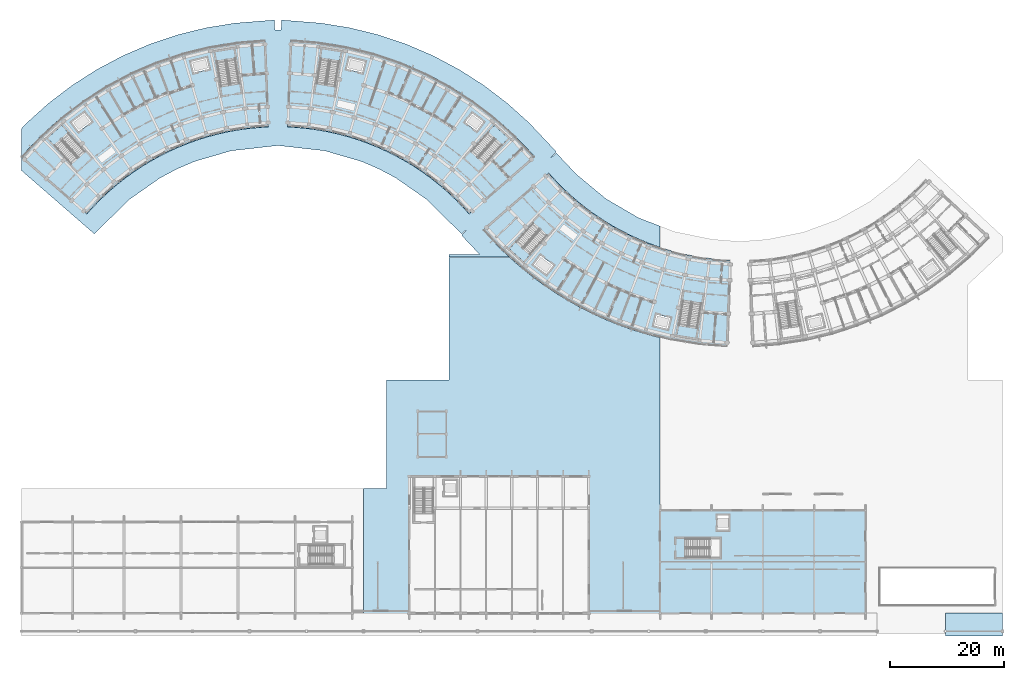
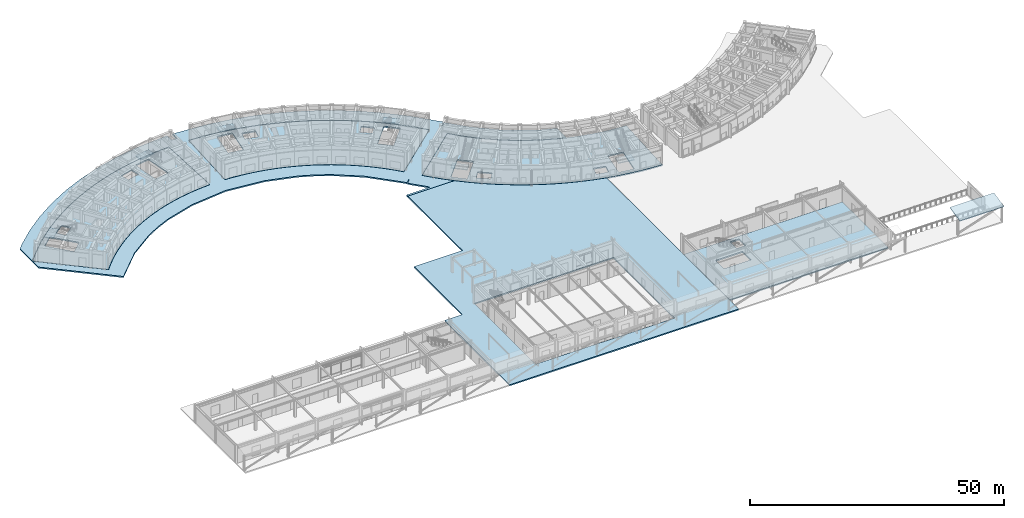
# One storey, part 21 of 61: 13 slabs, 6 elements without a shape of their own.
"""IFC4 building model written with IfcOpenShell, lengths in metres."""

from ifc_helpers import new_model, si_unit, direction, frame, origin, place, context, subcontext, project, spatial, polyline, outline, extrude, material, layer, layer_set, type_object, element, aggregate, save


model = new_model("IFC4")

# Units and contexts
model_context = context("Model", 3, precision=1e-05, world=origin(), true_north=direction((0.0, 1.0)))
body_context = subcontext(model_context, "Body", "Model", "MODEL_VIEW")
ifc_project = project(units=[si_unit("LENGTHUNIT", "METRE"), si_unit("AREAUNIT", "SQUARE_METRE"), si_unit("VOLUMEUNIT", "CUBIC_METRE"), si_unit("PLANEANGLEUNIT", "RADIAN"), si_unit("MASSUNIT", "GRAM", prefix="KILO")], contexts=[model_context])

# Site, building, storey
site_placement = place(None, origin())
site = spatial("IfcSite", under=ifc_project, at=site_placement, CompositionType="ELEMENT")
building_placement = place(site_placement, origin())
building = spatial("IfcBuilding", under=site, at=building_placement, Name="Zimvara Arc Housing Community", CompositionType="ELEMENT")
storey_placement = place(building_placement, origin())
storey = spatial("IfcBuildingStorey", under=building, at=storey_placement, Name="L00", CompositionType="ELEMENT", Elevation=0.0)

# Slabs
ifc_material_1 = material(Name="Concrete C40/50", Category="concrete")
ifc_layer_1 = layer(ifc_material_1, 0.1650390625)
ifc_layer_set_1 = layer_set([ifc_layer_1], Name="Concrete C40/50")
slab_type_1 = type_object("IfcSlabType", Name="SLB-COL-ROOF-165", PredefinedType="ROOF", material=ifc_layer_set_1)
slab_1_placement = place(storey_placement, frame((162.0, -0.35009765625, 3.820068359375), z_axis=(0.0, -0.217415880045, 0.976079061913), x_axis=(1.0, 0.0, 0.0)))
element("IfcSlab", 1, at=slab_1_placement, inside=storey, type_object=slab_type_1, Name="roof:colonnade:s2", PredefinedType="ROOF", context=body_context, shape_type="SweptSolid", body=[
    extrude(outline(polyline([(0.0, 0.0), (10.0, 0.0), (10.0, 4.047003431012863), (0.0, 4.047003431012863), (0.0, 0.0)])), origin(), (0.0, 0.0, -1.0), 0.1650390625),
])
ifc_material_2 = material(Name="Concrete C40/50", Category="concrete")
ifc_layer_2 = layer(ifc_material_2, 0.300048828125)
ifc_layer_set_2 = layer_set([ifc_layer_2], Name="Concrete C40/50")
slab_type_2 = type_object("IfcSlabType", Name="SLB-POD-300", PredefinedType="FLOOR", material=ifc_layer_set_2)
slab_2_placement = place(storey_placement, frame((0.0, 0.0, -0.300048828125)))
element("IfcSlab", 2, at=slab_2_placement, inside=storey, type_object=slab_type_2, Name="slab:blkA:L00:main", PredefinedType="FLOOR", context=body_context, shape_type="SweptSolid", body=[
    extrude(outline(polyline([(11.490966796875, 73.62890625), (12.708251953125, 74.972900390625), (13.979248046875, 76.265869140625), (15.302001953125, 77.506103515625), (16.674560546875, 78.69091796875), (18.093994140625, 79.819091796875), (19.55859375, 80.88818359375), (21.0654296875, 81.896484375), (22.6123046875, 82.842529296875), (24.196533203125, 83.724609375), (25.8154296875, 84.541259765625), (27.46630859375, 85.291259765625), (29.146240234375, 85.97314453125), (30.852783203125, 86.5859375), (32.5830078125, 87.12841796875), (34.333984375, 87.599853515625), (36.1025390625, 87.999267578125), (37.885986328125, 88.326416015625), (39.681396484375, 88.580322265625), (41.485595703125, 88.7607421875), (43.295654296875, 88.8671875), (42.712158203125, 104.05615234375), (40.282470703125, 103.9130859375), (37.860595703125, 103.6708984375), (35.450439453125, 103.330078125), (33.056640625, 102.89111328125), (30.682373046875, 102.354736328125), (28.332275390625, 101.721923828125), (26.009765625, 100.99365234375), (23.718994140625, 100.171142578125), (21.463623046875, 99.255859375), (19.247802734375, 98.249267578125), (17.07470703125, 97.15283203125), (14.947998046875, 95.96875), (12.871826171875, 94.698974609375), (10.848876953125, 93.34521484375), (8.883056640625, 91.91015625), (6.9775390625, 90.39599609375), (5.13525390625, 88.805419921875), (3.359619140625, 87.140869140625), (1.6533203125, 85.405029296875), (0.019287109375, 83.60107421875), (11.490966796875, 73.62890625)]), holes=[polyline([(8.73193359375, 82.356201171875), (4.65185546875, 86.890625), (7.090087890625, 89.08447265625), (11.17041015625, 84.550048828125), (8.73193359375, 82.356201171875)]), polyline([(34.9853515625, 95.960205078125), (34.008056640625, 101.9814453125), (37.24560546875, 102.507080078125), (38.222900390625, 96.48583984375), (34.9853515625, 95.960205078125)]), polyline([(10.05615234375, 88.02685546875), (8.820068359375, 89.649658203125), (11.0791015625, 91.37060546875), (12.3154296875, 89.747802734375), (10.05615234375, 88.02685546875)]), polyline([(30.216796875, 98.324951171875), (29.726806640625, 100.30517578125), (32.483642578125, 100.9873046875), (32.9736328125, 99.007080078125), (30.216796875, 98.324951171875)])]), origin(), (0.0, 0.0, 1.0), 0.300048828125),
])
slab_3_placement = place(storey_placement, frame((0.0, 0.0, -0.300048828125)))
element("IfcSlab", 3, at=slab_3_placement, inside=storey, type_object=slab_type_2, Name="slab:blkB:L00:main", PredefinedType="FLOOR", context=body_context, shape_type="SweptSolid", body=[
    extrude(outline(polyline([(46.704345703125, 88.8671875), (48.514404296875, 88.7607421875), (50.318603515625, 88.580322265625), (52.114013671875, 88.326416015625), (53.8974609375, 87.999267578125), (55.666015625, 87.599853515625), (57.4169921875, 87.12841796875), (59.147216796875, 86.5859375), (60.853759765625, 85.97314453125), (62.53369140625, 85.291259765625), (64.1845703125, 84.541259765625), (65.803466796875, 83.724609375), (67.3876953125, 82.842529296875), (68.9345703125, 81.896484375), (70.44140625, 80.88818359375), (71.90576171875, 79.819091796875), (73.325439453125, 78.69091796875), (74.697998046875, 77.506103515625), (76.020751953125, 76.265869140625), (77.291748046875, 74.972900390625), (78.509033203125, 73.62890625), (89.980712890625, 83.60107421875), (88.3466796875, 85.405029296875), (86.640380859375, 87.140869140625), (84.86474609375, 88.805419921875), (83.0224609375, 90.39599609375), (81.116943359375, 91.91015625), (79.151123046875, 93.34521484375), (77.128173828125, 94.698974609375), (75.052001953125, 95.96875), (72.92529296875, 97.15283203125), (70.752197265625, 98.249267578125), (68.536376953125, 99.255859375), (66.281005859375, 100.171142578125), (63.990234375, 100.99365234375), (61.667724609375, 101.721923828125), (59.317626953125, 102.354736328125), (56.943359375, 102.89111328125), (54.549560546875, 103.330078125), (52.139404296875, 103.6708984375), (49.717529296875, 103.9130859375), (47.287841796875, 104.05615234375), (46.704345703125, 88.8671875)]), holes=[polyline([(51.777099609375, 96.48583984375), (52.75439453125, 102.507080078125), (55.991943359375, 101.9814453125), (55.0146484375, 95.960205078125), (51.777099609375, 96.48583984375)]), polyline([(78.82958984375, 84.550048828125), (82.909912109375, 89.08447265625), (85.34814453125, 86.890625), (81.26806640625, 82.356201171875), (78.82958984375, 84.550048828125)]), polyline([(57.0263671875, 99.007080078125), (57.516357421875, 100.9873046875), (60.273193359375, 100.30517578125), (59.783203125, 98.324951171875), (57.0263671875, 99.007080078125)]), polyline([(77.803955078125, 89.656982421875), (79.0400390625, 91.27978515625), (81.060546875, 89.740478515625), (79.824462890625, 88.117919921875), (77.803955078125, 89.656982421875)])]), origin(), (0.0, 0.0, 1.0), 0.300048828125),
])
slab_4_placement = place(storey_placement, frame((0.0, 0.0, -0.300048828125)))
element("IfcSlab", 4, at=slab_4_placement, inside=storey, type_object=slab_type_2, Name="slab:blkC:L00:main", PredefinedType="FLOOR", context=body_context, shape_type="SweptSolid", body=[
    extrude(outline(polyline([(80.999267578125, 70.7587890625), (82.63330078125, 68.954833984375), (84.339599609375, 67.21923828125), (86.115234375, 65.5546875), (87.95751953125, 63.9638671875), (89.863037109375, 62.44970703125), (91.828857421875, 61.0146484375), (93.851806640625, 59.6611328125), (95.92822265625, 58.39111328125), (98.0546875, 57.20703125), (100.227783203125, 56.11083984375), (102.443603515625, 55.104248046875), (104.698974609375, 54.188720703125), (106.98974609375, 53.366455078125), (109.312255859375, 52.63818359375), (111.662353515625, 52.00537109375), (114.03662109375, 51.468994140625), (116.430419921875, 51.030029296875), (118.840576171875, 50.689208984375), (121.262451171875, 50.447021484375), (123.692138671875, 50.303955078125), (124.275634765625, 65.49267578125), (122.465576171875, 65.599365234375), (120.661376953125, 65.77978515625), (118.865966796875, 66.03369140625), (117.08251953125, 66.360595703125), (115.31396484375, 66.76025390625), (113.56298828125, 67.231689453125), (111.8330078125, 67.774169921875), (110.12646484375, 68.386962890625), (108.4462890625, 69.06884765625), (106.79541015625, 69.818603515625), (105.176513671875, 70.63525390625), (103.59228515625, 71.517333984375), (102.04541015625, 72.46337890625), (100.53857421875, 73.471923828125), (99.07421875, 74.541015625), (97.654541015625, 75.6689453125), (96.2822265625, 76.85400390625), (94.959228515625, 78.093994140625), (93.688232421875, 79.38720703125), (92.470947265625, 80.73095703125), (80.999267578125, 70.7587890625)]), holes=[polyline([(92.150390625, 69.81005859375), (88.070068359375, 65.275390625), (85.6318359375, 67.46923828125), (89.7119140625, 72.00390625), (92.150390625, 69.81005859375)]), polyline([(119.202880859375, 57.874267578125), (118.2255859375, 51.85302734375), (114.988037109375, 52.378662109375), (115.96533203125, 58.399658203125), (119.202880859375, 57.874267578125)]), polyline([(93.29541015625, 64.612060546875), (92.05908203125, 62.9892578125), (89.800048828125, 64.710205078125), (91.036376953125, 66.3330078125), (93.29541015625, 64.612060546875)]), polyline([(113.80810546875, 55.388916015625), (113.318115234375, 53.40869140625), (110.852294921875, 54.018798828125), (111.342529296875, 55.9990234375), (113.80810546875, 55.388916015625)])]), origin(), (0.0, 0.0, 1.0), 0.300048828125),
])
slab_5_placement = place(storey_placement, frame((0.0, 0.0, -0.300048828125)))
element("IfcSlab", 5, at=slab_5_placement, inside=storey, type_object=slab_type_2, Name="slab:nursery:L00:floor", PredefinedType="FLOOR", context=body_context, shape_type="SweptSolid", body=[
    extrude(outline(polyline([(112.0, 3.60009765625), (148.0, 3.60009765625), (148.0, 21.60009765625), (112.0, 21.60009765625), (112.0, 3.60009765625)]), holes=[polyline([(116.3798828125, 16.679931640625), (122.5, 16.679931640625), (122.5, 13.39990234375), (116.3798828125, 13.39990234375), (116.3798828125, 16.679931640625)]), polyline([(122.0, 20.739990234375), (124.0400390625, 20.739990234375), (124.0400390625, 18.199951171875), (122.0, 18.199951171875), (122.0, 20.739990234375)])]), origin(), (0.0, 0.0, 1.0), 0.300048828125),
])
slab_6_placement = place(storey_placement, frame((0.0, 0.0, -0.300048828125)))
element("IfcSlab", 6, at=slab_6_placement, inside=storey, type_object=slab_type_2, Name="slab:L00:plaza:2", PredefinedType="FLOOR", context=body_context, shape_type="SweptSolid", body=[
    extrude(outline(polyline([(64.0, 44.5), (64.0, 25.5), (60.010009765625, 25.5), (60.010009765625, 0.0), (111.989990234375, 0.0), (111.989990234375, 3.582763671875), (111.98876953125, 3.583251953125), (111.9873046875, 3.58447265625), (111.98583984375, 3.5859375), (111.984619140625, 3.58740234375), (111.9833984375, 3.5888671875), (111.982421875, 3.590576171875), (111.9814453125, 3.59228515625), (111.98095703125, 3.59423828125), (111.98046875, 3.59619140625), (111.97998046875, 3.59814453125), (111.97998046875, 3.60009765625), (111.97998046875, 21.60009765625), (111.97998046875, 21.60205078125), (111.98046875, 21.60400390625), (111.98095703125, 21.605712890625), (111.9814453125, 21.607666015625), (111.982421875, 21.609375), (111.9833984375, 21.611083984375), (111.984619140625, 21.61279296875), (111.98583984375, 21.6142578125), (111.9873046875, 21.615478515625), (111.98876953125, 21.61669921875), (111.989990234375, 21.6171875), (111.989990234375, 51.910888671875), (111.657958984375, 51.98583984375), (111.6572265625, 51.986083984375), (109.306884765625, 52.618896484375), (109.30615234375, 52.619140625), (106.983642578125, 53.34716796875), (106.98291015625, 53.34765625), (104.692138671875, 54.169921875), (104.69140625, 54.17041015625), (102.436279296875, 55.085693359375), (102.435546875, 55.0859375), (100.219482421875, 56.092529296875), (100.21875, 56.093017578125), (98.045654296875, 57.189208984375), (98.044921875, 57.189697265625), (95.91845703125, 58.373779296875), (95.917724609375, 58.3740234375), (93.84130859375, 59.64404296875), (93.840576171875, 59.64453125), (91.81787109375, 60.998046875), (91.817138671875, 60.99853515625), (89.851318359375, 62.43359375), (89.8505859375, 62.43408203125), (87.945068359375, 63.9482421875), (87.9443359375, 63.94873046875), (86.102294921875, 65.53955078125), (86.1015625, 65.5400390625), (85.61083984375, 66.0), (75.0, 66.0), (75.0, 44.5), (64.0, 44.5)]), holes=[polyline([(67.97998046875, 27.60205078125), (67.98046875, 27.60400390625), (67.98095703125, 27.605712890625), (67.9814453125, 27.607666015625), (67.982421875, 27.609375), (67.9833984375, 27.611083984375), (67.984619140625, 27.61279296875), (67.98583984375, 27.6142578125), (67.9873046875, 27.615478515625), (67.98876953125, 27.61669921875), (67.990478515625, 27.61767578125), (67.992431640625, 27.618408203125), (67.994140625, 27.619140625), (67.99609375, 27.61962890625), (67.998046875, 27.619873046875), (68.0, 27.6201171875), (99.5, 27.6201171875), (99.501953125, 27.619873046875), (99.50390625, 27.61962890625), (99.505859375, 27.619140625), (99.507568359375, 27.618408203125), (99.509521484375, 27.61767578125), (99.51123046875, 27.61669921875), (99.5126953125, 27.615478515625), (99.51416015625, 27.6142578125), (99.515380859375, 27.61279296875), (99.5166015625, 27.611083984375), (99.517578125, 27.609375), (99.5185546875, 27.607666015625), (99.51904296875, 27.605712890625), (99.51953125, 27.60400390625), (99.52001953125, 27.60205078125), (99.52001953125, 27.60009765625), (99.52001953125, 3.60009765625), (99.52001953125, 3.59814453125), (99.51953125, 3.59619140625), (99.51904296875, 3.59423828125), (99.5185546875, 3.59228515625), (99.517578125, 3.590576171875), (99.5166015625, 3.5888671875), (99.515380859375, 3.58740234375), (99.51416015625, 3.5859375), (99.5126953125, 3.58447265625), (99.51123046875, 3.583251953125), (99.509521484375, 3.582275390625), (99.507568359375, 3.58154296875), (99.505859375, 3.580810546875), (99.50390625, 3.580322265625), (99.501953125, 3.580078125), (99.5, 3.580078125), (68.0, 3.580078125), (67.998046875, 3.580078125), (67.99609375, 3.580322265625), (67.994140625, 3.580810546875), (67.992431640625, 3.58154296875), (67.990478515625, 3.582275390625), (67.98876953125, 3.583251953125), (67.9873046875, 3.58447265625), (67.98583984375, 3.5859375), (67.984619140625, 3.58740234375), (67.9833984375, 3.5888671875), (67.982421875, 3.590576171875), (67.9814453125, 3.59228515625), (67.98095703125, 3.59423828125), (67.98046875, 3.59619140625), (67.97998046875, 3.59814453125), (67.97998046875, 3.60009765625), (67.97998046875, 27.60009765625), (67.97998046875, 27.60205078125)])]), origin(), (0.0, 0.0, 1.0), 0.300048828125),
])
slab_7_placement = place(storey_placement, frame((0.0, 0.0, -0.300048828125)))
element("IfcSlab", 7, at=slab_7_placement, inside=storey, type_object=slab_type_2, Name="slab:L00:plaza:4", PredefinedType="FLOOR", context=body_context, shape_type="SweptSolid", body=[
    extrude(outline(polyline([(75.0, 66.02001953125), (85.589599609375, 66.02001953125), (84.325927734375, 67.20458984375), (84.3251953125, 67.205322265625), (82.619140625, 68.94091796875), (82.618408203125, 68.941650390625), (80.984375, 70.745361328125), (80.983154296875, 70.7470703125), (80.982177734375, 70.74853515625), (80.981201171875, 70.75048828125), (80.98046875, 70.752197265625), (80.97998046875, 70.754150390625), (80.9794921875, 70.756103515625), (80.979248046875, 70.758056640625), (80.979248046875, 70.760009765625), (80.9794921875, 70.761962890625), (80.97998046875, 70.763916015625), (80.98046875, 70.765869140625), (80.9814453125, 70.767822265625), (80.982421875, 70.76953125), (80.9833984375, 70.77099609375), (80.98486328125, 70.772705078125), (80.986083984375, 70.77392578125), (92.457763671875, 80.74609375), (92.459228515625, 80.747314453125), (92.4609375, 80.748291015625), (92.462646484375, 80.749267578125), (92.46435546875, 80.75), (92.46630859375, 80.75048828125), (92.46826171875, 80.750732421875), (92.47021484375, 80.7509765625), (92.47216796875, 80.7509765625), (92.47412109375, 80.750732421875), (92.475830078125, 80.750244140625), (92.477783203125, 80.749755859375), (92.4794921875, 80.7490234375), (92.481201171875, 80.748046875), (92.48291015625, 80.7470703125), (92.484375, 80.745849609375), (92.48583984375, 80.744384765625), (93.70263671875, 79.40087890625), (94.97314453125, 78.1083984375), (96.29541015625, 76.868896484375), (97.667236328125, 75.684326171875), (99.086181640625, 74.556884765625), (100.550048828125, 73.48828125), (102.056396484375, 72.480224609375), (103.6025390625, 71.53466796875), (105.185791015625, 70.653076171875), (106.803955078125, 69.836669921875), (108.4541015625, 69.087158203125), (110.133544921875, 68.405517578125), (111.83935546875, 67.793212890625), (111.989990234375, 67.745849609375), (111.989990234375, 71.46240234375), (108.26513671875, 72.88623046875), (102.48779296875, 76.259521484375), (97.335693359375, 80.527587890625), (93.801513671875, 84.272705078125), (92.723388671875, 83.335693359375), (93.7841796875, 84.5224609375), (89.016845703125, 89.574462890625), (85.1923828125, 93.015380859375), (81.10009765625, 96.133056640625), (76.76708984375, 98.90625), (72.22216796875, 101.31689453125), (67.49560546875, 103.348388671875), (62.619140625, 104.98779296875), (57.625, 106.223388671875), (52.547119140625, 107.0478515625), (45.62255859375, 107.59765625), (45.555419921875, 105.85009765625), (44.444580078125, 105.85009765625), (44.37744140625, 107.59765625), (37.452880859375, 107.0478515625), (32.375, 106.223388671875), (27.380859375, 104.98779296875), (22.50439453125, 103.348388671875), (17.77783203125, 101.31689453125), (13.23291015625, 98.90625), (8.89990234375, 96.133056640625), (4.8076171875, 93.015380859375), (0.983154296875, 89.574462890625), (0.0, 88.53271484375), (0.0, 83.606201171875), (0.00048828125, 83.607666015625), (0.001220703125, 83.609619140625), (0.002197265625, 83.611328125), (0.003173828125, 83.613037109375), (0.00439453125, 83.614501953125), (1.638427734375, 85.41845703125), (1.638916015625, 85.419189453125), (3.34521484375, 87.15478515625), (3.345947265625, 87.1552734375), (5.12158203125, 88.81982421875), (5.122314453125, 88.820556640625), (6.96435546875, 90.4111328125), (6.965087890625, 90.41162109375), (8.87060546875, 91.92578125), (8.871337890625, 91.92626953125), (10.837158203125, 93.361572265625), (10.837890625, 93.362060546875), (12.860595703125, 94.715576171875), (12.861328125, 94.716064453125), (14.937744140625, 95.98583984375), (14.9384765625, 95.986328125), (17.06494140625, 97.17041015625), (17.065673828125, 97.1708984375), (19.23876953125, 98.26708984375), (19.239501953125, 98.267333984375), (21.455322265625, 99.274169921875), (21.456298828125, 99.2744140625), (23.71142578125, 100.189697265625), (23.712158203125, 100.18994140625), (26.0029296875, 101.012451171875), (26.003662109375, 101.0126953125), (28.326171875, 101.740966796875), (28.326904296875, 101.7412109375), (30.67724609375, 102.3740234375), (30.677978515625, 102.374267578125), (33.052001953125, 102.91064453125), (33.052978515625, 102.91064453125), (35.447021484375, 103.349609375), (35.44775390625, 103.349853515625), (37.857666015625, 103.690673828125), (37.8583984375, 103.690673828125), (40.2802734375, 103.932861328125), (40.28125, 103.932861328125), (42.7109375, 104.075927734375), (42.712890625, 104.076171875), (42.71484375, 104.075927734375), (42.716796875, 104.075439453125), (42.71875, 104.074951171875), (42.720458984375, 104.07421875), (42.722412109375, 104.0732421875), (42.723876953125, 104.072021484375), (42.7255859375, 104.07080078125), (42.72705078125, 104.069580078125), (42.728271484375, 104.06787109375), (42.729248046875, 104.066162109375), (42.730224609375, 104.064453125), (42.73095703125, 104.062744140625), (42.7314453125, 104.060791015625), (42.73193359375, 104.058837890625), (42.732177734375, 104.056884765625), (43.315673828125, 88.867919921875), (43.3154296875, 88.8662109375), (43.3154296875, 88.8642578125), (43.31494140625, 88.8623046875), (43.314453125, 88.8603515625), (43.313720703125, 88.858642578125), (43.312744140625, 88.85693359375), (43.3115234375, 88.855224609375), (43.310302734375, 88.853759765625), (43.30908203125, 88.8525390625), (43.3076171875, 88.851318359375), (43.305908203125, 88.85009765625), (43.30419921875, 88.84912109375), (43.302490234375, 88.848388671875), (43.300537109375, 88.847900390625), (43.298583984375, 88.847412109375), (43.296875, 88.847412109375), (41.487060546875, 88.74072265625), (39.68359375, 88.560302734375), (37.88916015625, 88.306640625), (36.1064453125, 87.979736328125), (34.338623046875, 87.580322265625), (32.588623046875, 87.109130859375), (30.859375, 86.56689453125), (29.153564453125, 85.954345703125), (27.47412109375, 85.27294921875), (25.823974609375, 84.5234375), (24.205810546875, 83.70703125), (22.62255859375, 82.8251953125), (21.076416015625, 81.879638671875), (19.570068359375, 80.871826171875), (18.106201171875, 79.80322265625), (16.687255859375, 78.675537109375), (15.3154296875, 77.4912109375), (13.9931640625, 76.251708984375), (12.72265625, 74.959228515625), (11.505615234375, 73.615478515625), (11.50439453125, 73.6142578125), (11.5029296875, 73.613037109375), (11.501220703125, 73.61181640625), (11.49951171875, 73.611083984375), (11.497802734375, 73.6103515625), (11.495849609375, 73.609619140625), (11.493896484375, 73.609375), (11.4921875, 73.609130859375), (11.490234375, 73.609130859375), (11.48828125, 73.609130859375), (11.486328125, 73.609619140625), (11.484375, 73.610107421875), (11.482666015625, 73.61083984375), (11.48095703125, 73.611572265625), (11.479248046875, 73.61279296875), (11.477783203125, 73.614013671875), (0.006103515625, 83.5859375), (0.004638671875, 83.58740234375), (0.00341796875, 83.5888671875), (0.00244140625, 83.590576171875), (0.00146484375, 83.59228515625), (0.00048828125, 83.593994140625), (0.0, 83.595947265625), (0.0, 81.23291015625), (12.821533203125, 70.087158203125), (18.844482421875, 76.071533203125), (24.327392578125, 79.905029296875), (27.28515625, 81.473876953125), (30.36083984375, 82.7958984375), (36.7841796875, 84.6669921875), (45.0, 85.59326171875), (53.2158203125, 84.6669921875), (59.63916015625, 82.7958984375), (62.71484375, 81.473876953125), (65.672607421875, 79.905029296875), (71.155517578125, 76.071533203125), (77.178466796875, 70.087158203125), (78.256591796875, 71.0244140625), (77.19580078125, 69.83740234375), (80.34521484375, 66.5), (75.0, 66.5), (75.0, 66.02001953125)]), holes=[polyline([(47.26806640625, 104.058837890625), (47.2685546875, 104.060791015625), (47.26904296875, 104.062744140625), (47.269775390625, 104.064453125), (47.270751953125, 104.066162109375), (47.271728515625, 104.06787109375), (47.27294921875, 104.069580078125), (47.2744140625, 104.07080078125), (47.276123046875, 104.072021484375), (47.277587890625, 104.0732421875), (47.279541015625, 104.07421875), (47.28125, 104.074951171875), (47.283203125, 104.075439453125), (47.28515625, 104.075927734375), (47.287109375, 104.076171875), (47.2890625, 104.075927734375), (49.71875, 103.932861328125), (49.7197265625, 103.932861328125), (52.1416015625, 103.690673828125), (52.142333984375, 103.690673828125), (54.55224609375, 103.349853515625), (54.552978515625, 103.349609375), (56.947021484375, 102.91064453125), (56.947998046875, 102.91064453125), (59.322021484375, 102.374267578125), (59.32275390625, 102.3740234375), (61.673095703125, 101.7412109375), (61.673828125, 101.740966796875), (63.996337890625, 101.0126953125), (63.9970703125, 101.012451171875), (66.287841796875, 100.18994140625), (66.28857421875, 100.189697265625), (68.543701171875, 99.2744140625), (68.544677734375, 99.274169921875), (70.760498046875, 98.267333984375), (70.76123046875, 98.26708984375), (72.934326171875, 97.1708984375), (72.93505859375, 97.17041015625), (75.0615234375, 95.986328125), (75.062255859375, 95.98583984375), (77.138671875, 94.716064453125), (77.139404296875, 94.715576171875), (79.162109375, 93.362060546875), (79.162841796875, 93.361572265625), (81.128662109375, 91.92626953125), (81.12939453125, 91.92578125), (83.034912109375, 90.41162109375), (83.03564453125, 90.4111328125), (84.877685546875, 88.820556640625), (84.87841796875, 88.81982421875), (86.654052734375, 87.1552734375), (86.65478515625, 87.15478515625), (88.361083984375, 85.419189453125), (88.361572265625, 85.41845703125), (89.99560546875, 83.614501953125), (89.996826171875, 83.613037109375), (89.997802734375, 83.611328125), (89.998779296875, 83.609619140625), (89.99951171875, 83.607666015625), (90.0, 83.60595703125), (90.00048828125, 83.60400390625), (90.000732421875, 83.601806640625), (90.000732421875, 83.599853515625), (90.00048828125, 83.597900390625), (90.0, 83.595947265625), (89.99951171875, 83.593994140625), (89.99853515625, 83.59228515625), (89.99755859375, 83.590576171875), (89.99658203125, 83.5888671875), (89.995361328125, 83.58740234375), (89.993896484375, 83.5859375), (78.522216796875, 73.614013671875), (78.520751953125, 73.61279296875), (78.51904296875, 73.611572265625), (78.517333984375, 73.61083984375), (78.515625, 73.610107421875), (78.513671875, 73.609619140625), (78.51171875, 73.609130859375), (78.509765625, 73.609130859375), (78.5078125, 73.609130859375), (78.506103515625, 73.609375), (78.504150390625, 73.609619140625), (78.502197265625, 73.6103515625), (78.50048828125, 73.611083984375), (78.498779296875, 73.61181640625), (78.4970703125, 73.613037109375), (78.49560546875, 73.6142578125), (78.494384765625, 73.615478515625), (77.27734375, 74.959228515625), (76.0068359375, 76.251708984375), (74.6845703125, 77.4912109375), (73.312744140625, 78.675537109375), (71.893798828125, 79.80322265625), (70.429931640625, 80.871826171875), (68.923583984375, 81.879638671875), (67.37744140625, 82.8251953125), (65.794189453125, 83.70703125), (64.176025390625, 84.5234375), (62.52587890625, 85.27294921875), (60.846435546875, 85.954345703125), (59.140625, 86.56689453125), (57.411376953125, 87.109130859375), (55.661376953125, 87.580322265625), (53.8935546875, 87.979736328125), (52.11083984375, 88.306640625), (50.31640625, 88.560302734375), (48.512939453125, 88.74072265625), (46.703125, 88.847412109375), (46.701416015625, 88.847412109375), (46.699462890625, 88.847900390625), (46.697509765625, 88.848388671875), (46.69580078125, 88.84912109375), (46.694091796875, 88.85009765625), (46.6923828125, 88.851318359375), (46.69091796875, 88.8525390625), (46.689697265625, 88.853759765625), (46.6884765625, 88.855224609375), (46.687255859375, 88.85693359375), (46.686279296875, 88.858642578125), (46.685546875, 88.8603515625), (46.68505859375, 88.8623046875), (46.6845703125, 88.8642578125), (46.6845703125, 88.8662109375), (46.684326171875, 88.867919921875), (47.267822265625, 104.056884765625), (47.26806640625, 104.058837890625)])]), origin(), (0.0, 0.0, 1.0), 0.300048828125),
])

# Stair, slab
ifc_material_3 = material(Name="Concrete C35/45", Category="concrete")
stair_type_1 = type_object("IfcStairType", Name="STR-DL-312-450", PredefinedType="HALF_TURN_STAIR", material=ifc_material_3)
stair_1_placement = place(storey_placement, origin())
stair_1 = element("IfcStair", 8, at=stair_1_placement, inside=storey, type_object=stair_type_1, Name="L00 Block A Exit Stair 1", PredefinedType="HALF_TURN_STAIR")
ifc_material_4 = material(Name="Concrete C35/45", Category="concrete")
ifc_layer_3 = layer(ifc_material_4, 0.199951171875)
ifc_layer_set_3 = layer_set([ifc_layer_3], Name="Concrete C35/45")
slab_type_3 = type_object("IfcSlabType", Name="SLB-STAIR-LND-200", PredefinedType="LANDING", material=ifc_layer_set_3)
slab_8_placement = place(storey_placement, frame((0.0, 0.0, 2.050048828125)))
slab_8 = element("IfcSlab", 9, at=slab_8_placement, type_object=slab_type_3, Name="ST-A1 landing 1", PredefinedType="LANDING", context=body_context, shape_type="SweptSolid", body=[
    extrude(outline(polyline([(8.30517578125, 87.794189453125), (7.09326171875, 89.14111328125), (4.595458984375, 86.8935546875), (5.807373046875, 85.546630859375), (8.30517578125, 87.794189453125)])), origin(), (0.0, 0.0, 1.0), 0.199951171875),
])
aggregate(stair_1, [slab_8])

ifc_material_5 = material(Name="Concrete C35/45", Category="concrete")
stair_type_2 = type_object("IfcStairType", Name="STR-DL-315-450", PredefinedType="HALF_TURN_STAIR", material=ifc_material_5)
stair_2_placement = place(storey_placement, origin())
stair_2 = element("IfcStair", 10, at=stair_2_placement, inside=storey, type_object=stair_type_2, Name="L00 Block A Exit Stair 2", PredefinedType="HALF_TURN_STAIR")
slab_9_placement = place(storey_placement, frame((0.0, 0.0, 2.050048828125)))
slab_9 = element("IfcSlab", 11, at=slab_9_placement, type_object=slab_type_3, Name="ST-A2 landing 1", PredefinedType="LANDING", context=body_context, shape_type="SweptSolid", body=[
    extrude(outline(polyline([(37.562255859375, 100.8056640625), (37.278564453125, 102.552978515625), (33.962158203125, 102.014404296875), (34.24560546875, 100.267333984375), (37.562255859375, 100.8056640625)])), origin(), (0.0, 0.0, 1.0), 0.199951171875),
])
aggregate(stair_2, [slab_9])

stair_3_placement = place(storey_placement, origin())
stair_3 = element("IfcStair", 12, at=stair_3_placement, inside=storey, type_object=stair_type_2, Name="L00 Block B Exit Stair 1", PredefinedType="HALF_TURN_STAIR")
slab_10_placement = place(storey_placement, frame((0.0, 0.0, 2.050048828125)))
slab_10 = element("IfcSlab", 13, at=slab_10_placement, type_object=slab_type_3, Name="ST-B1 landing 1", PredefinedType="LANDING", context=body_context, shape_type="SweptSolid", body=[
    extrude(outline(polyline([(55.75439453125, 100.267333984375), (56.037841796875, 102.014404296875), (52.721435546875, 102.552978515625), (52.437744140625, 100.8056640625), (55.75439453125, 100.267333984375)])), origin(), (0.0, 0.0, 1.0), 0.199951171875),
])
aggregate(stair_3, [slab_10])

ifc_material_6 = material(Name="Concrete C35/45", Category="concrete")
stair_type_3 = type_object("IfcStairType", Name="STR-DL-318-450", PredefinedType="HALF_TURN_STAIR", material=ifc_material_6)
stair_4_placement = place(storey_placement, origin())
stair_4 = element("IfcStair", 14, at=stair_4_placement, inside=storey, type_object=stair_type_3, Name="L00 Block B Exit Stair 2", PredefinedType="HALF_TURN_STAIR")
slab_11_placement = place(storey_placement, frame((0.0, 0.0, 2.050048828125)))
slab_11 = element("IfcSlab", 15, at=slab_11_placement, type_object=slab_type_3, Name="ST-B2 landing 1", PredefinedType="LANDING", context=body_context, shape_type="SweptSolid", body=[
    extrude(outline(polyline([(84.248779296875, 85.609130859375), (85.404541015625, 86.8935546875), (82.90673828125, 89.14111328125), (81.7509765625, 87.8564453125), (84.248779296875, 85.609130859375)])), origin(), (0.0, 0.0, 1.0), 0.199951171875),
])
aggregate(stair_4, [slab_11])

stair_5_placement = place(storey_placement, origin())
stair_5 = element("IfcStair", 16, at=stair_5_placement, inside=storey, type_object=stair_type_3, Name="L00 Block C Exit Stair 1", PredefinedType="HALF_TURN_STAIR")
slab_12_placement = place(storey_placement, frame((0.0, 0.0, 2.050048828125)))
slab_12 = element("IfcSlab", 17, at=slab_12_placement, type_object=slab_type_3, Name="ST-C1 landing 1", PredefinedType="LANDING", context=body_context, shape_type="SweptSolid", body=[
    extrude(outline(polyline([(86.731201171875, 68.7509765625), (85.575439453125, 67.46630859375), (88.0732421875, 65.218994140625), (89.22900390625, 66.50341796875), (86.731201171875, 68.7509765625)])), origin(), (0.0, 0.0, 1.0), 0.199951171875),
])
aggregate(stair_5, [slab_12])

ifc_material_7 = material(Name="Concrete C35/45", Category="concrete")
stair_type_4 = type_object("IfcStairType", Name="STR-DL-310-450", PredefinedType="HALF_TURN_STAIR", material=ifc_material_7)
stair_6_placement = place(storey_placement, origin())
stair_6 = element("IfcStair", 18, at=stair_6_placement, inside=storey, type_object=stair_type_4, Name="L00 Block C Exit Stair 2", PredefinedType="HALF_TURN_STAIR")
slab_13_placement = place(storey_placement, frame((0.0, 0.0, 2.050048828125)))
slab_13 = element("IfcSlab", 19, at=slab_13_placement, type_object=slab_type_3, Name="ST-C2 landing 1", PredefinedType="LANDING", context=body_context, shape_type="SweptSolid", body=[
    extrude(outline(polyline([(115.23681640625, 54.16162109375), (114.942138671875, 52.345458984375), (118.2587890625, 51.80712890625), (118.553466796875, 53.623291015625), (115.23681640625, 54.16162109375)])), origin(), (0.0, 0.0, 1.0), 0.199951171875),
])
aggregate(stair_6, [slab_13])

save(model, "model.ifc")
